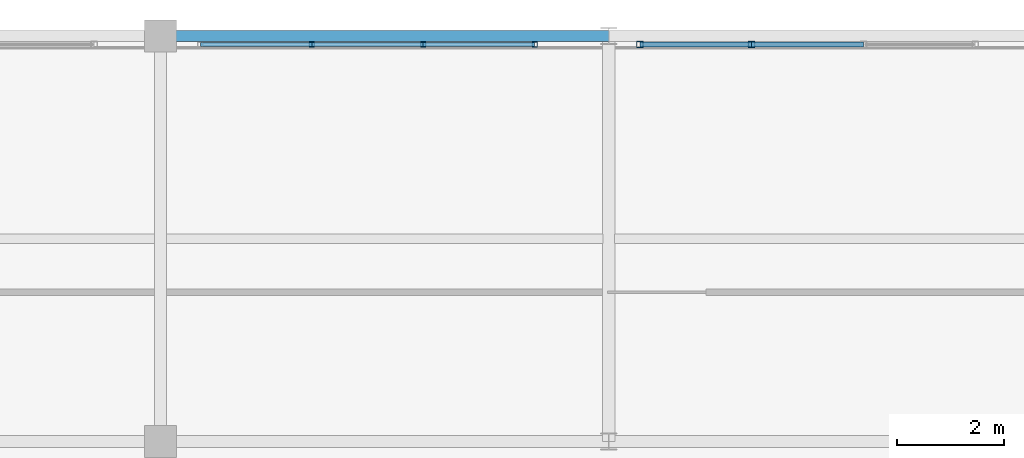
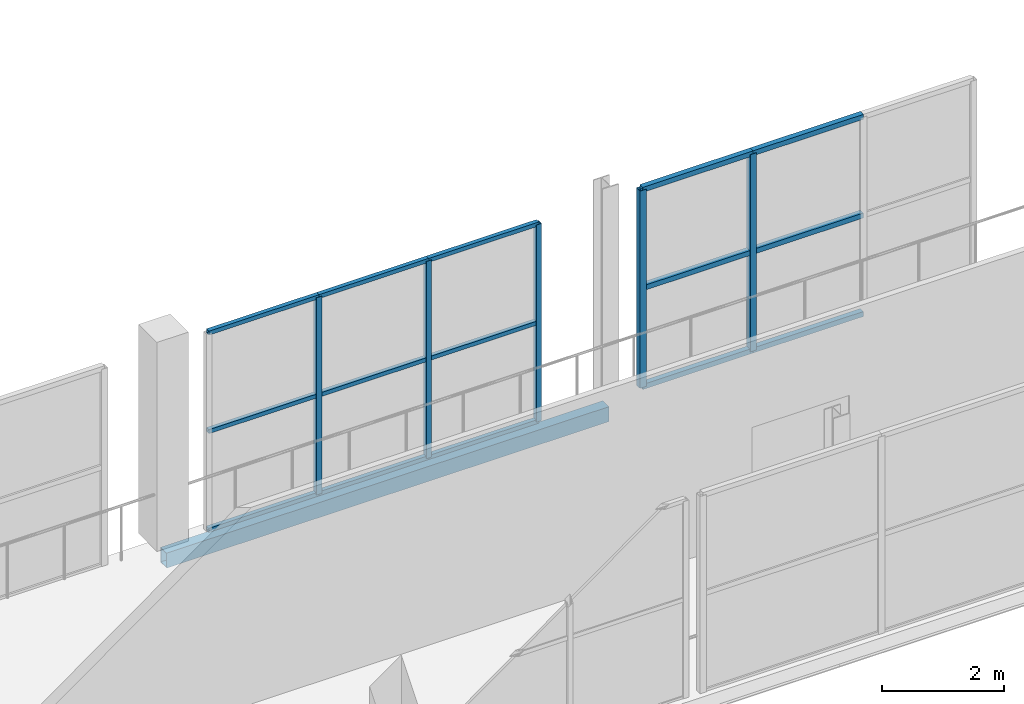
# One storey, part 80 of 151: 20 members, 1 beam, 2 elements without a shape of their own.
"""IFC4 building model written with IfcOpenShell, lengths in metres."""

from ifc_helpers import new_model, si_unit, direction, frame, origin, origin_2d, place, context, subcontext, project, spatial, hollow_rectangle, extrude, material, material_profile, profile_set, type_object, element, aggregate, save


model = new_model("IFC4")

# Units and contexts
model_context = context("Model", 3, precision=1e-05, world=origin(), true_north=direction((0.0, 1.0)))
body_context = subcontext(model_context, "Body", "Model", "MODEL_VIEW")
ifc_project = project(units=[si_unit("LENGTHUNIT", "METRE"), si_unit("AREAUNIT", "SQUARE_METRE"), si_unit("VOLUMEUNIT", "CUBIC_METRE"), si_unit("PLANEANGLEUNIT", "RADIAN"), si_unit("MASSUNIT", "GRAM", prefix="KILO")], contexts=[model_context])

# Site, building, storey
site_placement = place(None, origin())
site = spatial("IfcSite", under=ifc_project, at=site_placement, CompositionType="ELEMENT")
building_placement = place(site_placement, origin())
building = spatial("IfcBuilding", under=site, at=building_placement, Name="Zuvorla Pavilion Media Centre", CompositionType="ELEMENT")
storey_placement = place(building_placement, frame((0.0, 0.0, 13.800048828125)))
storey = spatial("IfcBuildingStorey", under=building, at=storey_placement, Name="L03", CompositionType="ELEMENT", Elevation=13.800048828125)

# Beam
ifc_material_1 = material(Name="Steel S355", Category="steel")
ifc_material_profile_1 = material_profile(ifc_material_1, hollow_rectangle(XDim=0.199951171875, YDim=0.300048828125, WallThickness=0.012451171875, at=origin_2d()), Name="RHS 300x200x12.5")
ifc_profile_set_1 = profile_set([ifc_material_profile_1], Name="Steel S355")
beam_type = type_object("IfcBeamType", Name="BM-SP-RHS300", PredefinedType="SPANDREL", material=ifc_profile_set_1)
beam_placement = place(storey_placement, frame((117.199951171875, 89.60009765625, -0.407958984375), z_axis=(1.0, 0.0, 0.0), x_axis=(0.0, 1.0, 0.0)))
element("IfcBeam", 1, at=beam_placement, inside=storey, type_object=beam_type, Name="L03 spandrel SP01 1142", PredefinedType="SPANDREL", context=body_context, shape_type="SweptSolid", body=[
    extrude(hollow_rectangle(XDim=0.199951171875, YDim=0.300048828125, WallThickness=0.012451171875, at=origin_2d()), origin(), (0.0, 0.0, 1.0), 8.400146484375),
])

# Curtain wall, members
ifc_material_2 = material(Name="Unitised anodised aluminium and solar glass curtain wall", Category="aluminium")
curtain_wall_type_1 = type_object("IfcCurtainWallType", Name="CW-SYS-62", PredefinedType="USERDEFINED", material=ifc_material_2)
curtain_wall_1_placement = place(storey_placement, origin())
curtain_wall_1 = element("IfcCurtainWall", 2, at=curtain_wall_1_placement, inside=storey, type_object=curtain_wall_type_1, Name="L03 curtain wall CW62 110", ObjectType="CURTAIN WALL", PredefinedType="USERDEFINED")
ifc_material_3 = material(Name="Anodised aluminium 6063-T6", Category="aluminium")
ifc_material_profile_2 = material_profile(ifc_material_3, hollow_rectangle(XDim=0.10009765625, YDim=0.10009765625, WallThickness=0.00439453125, at=origin_2d()), Name="ALU MULL 100x100")
ifc_profile_set_2 = profile_set([ifc_material_profile_2], Name="Anodised aluminium 6063-T6")
member_type_1 = type_object("IfcMemberType", Name="CW-MULL-100", PredefinedType="MULLION", material=ifc_profile_set_2)
member_1_placement = place(storey_placement, frame((124.21142578125, 89.43994140625, 0.0), z_axis=(0.0, 0.0, 1.0), x_axis=(1.0, 0.0, 0.0)))
member_1 = element("IfcMember", 3, at=member_1_placement, type_object=member_type_1, Name="CW62 mullion 1", PredefinedType="MULLION", context=body_context, shape_type="SweptSolid", body=[
    extrude(hollow_rectangle(XDim=0.10009765625, YDim=0.10009765625, WallThickness=0.00439453125, at=origin_2d()), origin(), (0.0, 0.0, 1.0), 3.9599609375),
])
member_2_placement = place(storey_placement, frame((122.122314453125, 89.43994140625, 0.0), z_axis=(0.0, 0.0, 1.0), x_axis=(1.0, 0.0, 0.0)))
member_2 = element("IfcMember", 4, at=member_2_placement, type_object=member_type_1, Name="CW62 mullion 2", PredefinedType="MULLION", context=body_context, shape_type="SweptSolid", body=[
    extrude(hollow_rectangle(XDim=0.10009765625, YDim=0.10009765625, WallThickness=0.00439453125, at=origin_2d()), origin(), (0.0, 0.0, 1.0), 3.9599609375),
])
member_3_placement = place(storey_placement, frame((120.033447265625, 89.43994140625, 0.0), z_axis=(0.0, 0.0, 1.0), x_axis=(1.0, 0.0, 0.0)))
member_3 = element("IfcMember", 5, at=member_3_placement, type_object=member_type_1, Name="CW62 mullion 3", PredefinedType="MULLION", context=body_context, shape_type="SweptSolid", body=[
    extrude(hollow_rectangle(XDim=0.10009765625, YDim=0.10009765625, WallThickness=0.00439453125, at=origin_2d()), origin(), (0.0, 0.0, 1.0), 3.9599609375),
])

curtain_wall_type_2 = type_object("IfcCurtainWallType", Name="CW-SYS-39", PredefinedType="USERDEFINED", material=ifc_material_2)
curtain_wall_2_placement = place(storey_placement, origin())
curtain_wall_2 = element("IfcCurtainWall", 6, at=curtain_wall_2_placement, inside=storey, type_object=curtain_wall_type_2, Name="L03 curtain wall CW39 109", ObjectType="CURTAIN WALL", PredefinedType="USERDEFINED")
ifc_material_profile_3 = material_profile(ifc_material_3, hollow_rectangle(XDim=0.1201171875, YDim=0.1201171875, WallThickness=0.0048828125, at=origin_2d()), Name="ALU MULL 120x120")
ifc_profile_set_3 = profile_set([ifc_material_profile_3], Name="Anodised aluminium 6063-T6")
member_type_2 = type_object("IfcMemberType", Name="CW-MULL-120", PredefinedType="MULLION", material=ifc_profile_set_3)
member_4_placement = place(storey_placement, frame((128.277587890625, 89.43994140625, 0.0), z_axis=(0.0, 0.0, 1.0), x_axis=(1.0, 0.0, 0.0)))
member_4 = element("IfcMember", 7, at=member_4_placement, type_object=member_type_2, Name="CW39 mullion 3", PredefinedType="MULLION", context=body_context, shape_type="SweptSolid", body=[
    extrude(hollow_rectangle(XDim=0.1201171875, YDim=0.1201171875, WallThickness=0.0048828125, at=origin_2d()), origin(), (0.0, 0.0, 1.0), 3.9599609375),
])
member_5_placement = place(storey_placement, frame((126.181884765625, 89.43994140625, 0.0), z_axis=(0.0, 0.0, 1.0), x_axis=(1.0, 0.0, 0.0)))
member_5 = element("IfcMember", 8, at=member_5_placement, type_object=member_type_2, Name="CW39 mullion 4", PredefinedType="MULLION", context=body_context, shape_type="SweptSolid", body=[
    extrude(hollow_rectangle(XDim=0.1201171875, YDim=0.1201171875, WallThickness=0.0048828125, at=origin_2d()), origin(), (0.0, 0.0, 1.0), 3.9599609375),
])
ifc_material_profile_4 = material_profile(ifc_material_3, hollow_rectangle(XDim=0.10009765625, YDim=0.10009765625, WallThickness=0.00439453125, at=origin_2d()), Name="ALU TRAN 100x100")
ifc_profile_set_4 = profile_set([ifc_material_profile_4], Name="Anodised aluminium 6063-T6")
member_type_3 = type_object("IfcMemberType", Name="CW-TRAN-100", PredefinedType="USERDEFINED", material=ifc_profile_set_4)
member_6_placement = place(storey_placement, frame((130.373046875, 89.43994140625, 0.0), z_axis=(-1.0, 0.0, 0.0), x_axis=(0.0, -1.0, 0.0)))
member_6 = element("IfcMember", 9, at=member_6_placement, type_object=member_type_3, Name="CW39 transom 2.1", ObjectType="TRANSOM", PredefinedType="USERDEFINED", context=body_context, shape_type="SweptSolid", body=[
    extrude(hollow_rectangle(XDim=0.10009765625, YDim=0.10009765625, WallThickness=0.00439453125, at=origin_2d()), origin(), (0.0, 0.0, 1.0), 2.095458984375),
])
member_7_placement = place(storey_placement, frame((130.373046875, 89.43994140625, 1.97998046875), z_axis=(-1.0, 0.0, 0.0), x_axis=(0.0, -1.0, 0.0)))
member_7 = element("IfcMember", 10, at=member_7_placement, type_object=member_type_3, Name="CW39 transom 2.2", ObjectType="TRANSOM", PredefinedType="USERDEFINED", context=body_context, shape_type="SweptSolid", body=[
    extrude(hollow_rectangle(XDim=0.10009765625, YDim=0.10009765625, WallThickness=0.00439453125, at=origin_2d()), origin(), (0.0, 0.0, 1.0), 2.095458984375),
])
member_8_placement = place(storey_placement, frame((130.373046875, 89.43994140625, 3.9599609375), z_axis=(-1.0, 0.0, 0.0), x_axis=(0.0, -1.0, 0.0)))
member_8 = element("IfcMember", 11, at=member_8_placement, type_object=member_type_3, Name="CW39 transom 2.3", ObjectType="TRANSOM", PredefinedType="USERDEFINED", context=body_context, shape_type="SweptSolid", body=[
    extrude(hollow_rectangle(XDim=0.10009765625, YDim=0.10009765625, WallThickness=0.00439453125, at=origin_2d()), origin(), (0.0, 0.0, 1.0), 2.095458984375),
])
member_9_placement = place(storey_placement, frame((128.277587890625, 89.43994140625, 0.0), z_axis=(-1.0, 0.0, 0.0), x_axis=(0.0, -1.0, 0.0)))
member_9 = element("IfcMember", 12, at=member_9_placement, type_object=member_type_3, Name="CW39 transom 3.1", ObjectType="TRANSOM", PredefinedType="USERDEFINED", context=body_context, shape_type="SweptSolid", body=[
    extrude(hollow_rectangle(XDim=0.10009765625, YDim=0.10009765625, WallThickness=0.00439453125, at=origin_2d()), origin(), (0.0, 0.0, 1.0), 2.095703125),
])
member_10_placement = place(storey_placement, frame((128.277587890625, 89.43994140625, 1.97998046875), z_axis=(-1.0, 0.0, 0.0), x_axis=(0.0, -1.0, 0.0)))
member_10 = element("IfcMember", 13, at=member_10_placement, type_object=member_type_3, Name="CW39 transom 3.2", ObjectType="TRANSOM", PredefinedType="USERDEFINED", context=body_context, shape_type="SweptSolid", body=[
    extrude(hollow_rectangle(XDim=0.10009765625, YDim=0.10009765625, WallThickness=0.00439453125, at=origin_2d()), origin(), (0.0, 0.0, 1.0), 2.095703125),
])
member_11_placement = place(storey_placement, frame((128.277587890625, 89.43994140625, 3.9599609375), z_axis=(-1.0, 0.0, 0.0), x_axis=(0.0, -1.0, 0.0)))
member_11 = element("IfcMember", 14, at=member_11_placement, type_object=member_type_3, Name="CW39 transom 3.3", ObjectType="TRANSOM", PredefinedType="USERDEFINED", context=body_context, shape_type="SweptSolid", body=[
    extrude(hollow_rectangle(XDim=0.10009765625, YDim=0.10009765625, WallThickness=0.00439453125, at=origin_2d()), origin(), (0.0, 0.0, 1.0), 2.095703125),
])
aggregate(curtain_wall_2, [member_4, member_5, member_6, member_7, member_8, member_9, member_10, member_11])

# Member
ifc_material_profile_5 = material_profile(ifc_material_3, hollow_rectangle(XDim=0.080078125, YDim=0.080078125, WallThickness=0.00390625, at=origin_2d()), Name="ALU TRAN 80x80")
ifc_profile_set_5 = profile_set([ifc_material_profile_5], Name="Anodised aluminium 6063-T6")
member_type_4 = type_object("IfcMemberType", Name="CW-TRAN-80", PredefinedType="USERDEFINED", material=ifc_profile_set_5)
member_12_placement = place(storey_placement, frame((124.21142578125, 89.43994140625, 0.0), z_axis=(-1.0, 0.0, 0.0), x_axis=(0.0, -1.0, 0.0)))
member_12 = element("IfcMember", 15, at=member_12_placement, type_object=member_type_4, Name="CW62 transom 1.1", ObjectType="TRANSOM", PredefinedType="USERDEFINED", context=body_context, shape_type="SweptSolid", body=[
    extrude(hollow_rectangle(XDim=0.080078125, YDim=0.080078125, WallThickness=0.00390625, at=origin_2d()), origin(), (0.0, 0.0, 1.0), 2.089111328125),
])

member_13_placement = place(storey_placement, frame((124.21142578125, 89.43994140625, 1.97998046875), z_axis=(-1.0, 0.0, 0.0), x_axis=(0.0, -1.0, 0.0)))
member_13 = element("IfcMember", 16, at=member_13_placement, type_object=member_type_4, Name="CW62 transom 1.2", ObjectType="TRANSOM", PredefinedType="USERDEFINED", context=body_context, shape_type="SweptSolid", body=[
    extrude(hollow_rectangle(XDim=0.080078125, YDim=0.080078125, WallThickness=0.00390625, at=origin_2d()), origin(), (0.0, 0.0, 1.0), 2.089111328125),
])

member_14_placement = place(storey_placement, frame((124.21142578125, 89.43994140625, 3.9599609375), z_axis=(-1.0, 0.0, 0.0), x_axis=(0.0, -1.0, 0.0)))
member_14 = element("IfcMember", 17, at=member_14_placement, type_object=member_type_4, Name="CW62 transom 1.3", ObjectType="TRANSOM", PredefinedType="USERDEFINED", context=body_context, shape_type="SweptSolid", body=[
    extrude(hollow_rectangle(XDim=0.080078125, YDim=0.080078125, WallThickness=0.00390625, at=origin_2d()), origin(), (0.0, 0.0, 1.0), 2.089111328125),
])

member_15_placement = place(storey_placement, frame((122.122314453125, 89.43994140625, 0.0), z_axis=(-1.0, 0.0, 0.0), x_axis=(0.0, -1.0, 0.0)))
member_15 = element("IfcMember", 18, at=member_15_placement, type_object=member_type_4, Name="CW62 transom 2.1", ObjectType="TRANSOM", PredefinedType="USERDEFINED", context=body_context, shape_type="SweptSolid", body=[
    extrude(hollow_rectangle(XDim=0.080078125, YDim=0.080078125, WallThickness=0.00390625, at=origin_2d()), origin(), (0.0, 0.0, 1.0), 2.0888671875),
])

member_16_placement = place(storey_placement, frame((122.122314453125, 89.43994140625, 1.97998046875), z_axis=(-1.0, 0.0, 0.0), x_axis=(0.0, -1.0, 0.0)))
member_16 = element("IfcMember", 19, at=member_16_placement, type_object=member_type_4, Name="CW62 transom 2.2", ObjectType="TRANSOM", PredefinedType="USERDEFINED", context=body_context, shape_type="SweptSolid", body=[
    extrude(hollow_rectangle(XDim=0.080078125, YDim=0.080078125, WallThickness=0.00390625, at=origin_2d()), origin(), (0.0, 0.0, 1.0), 2.0888671875),
])

member_17_placement = place(storey_placement, frame((122.122314453125, 89.43994140625, 3.9599609375), z_axis=(-1.0, 0.0, 0.0), x_axis=(0.0, -1.0, 0.0)))
member_17 = element("IfcMember", 20, at=member_17_placement, type_object=member_type_4, Name="CW62 transom 2.3", ObjectType="TRANSOM", PredefinedType="USERDEFINED", context=body_context, shape_type="SweptSolid", body=[
    extrude(hollow_rectangle(XDim=0.080078125, YDim=0.080078125, WallThickness=0.00390625, at=origin_2d()), origin(), (0.0, 0.0, 1.0), 2.0888671875),
])

member_18_placement = place(storey_placement, frame((120.033447265625, 89.43994140625, 0.0), z_axis=(-1.0, 0.0, 0.0), x_axis=(0.0, -1.0, 0.0)))
member_18 = element("IfcMember", 21, at=member_18_placement, type_object=member_type_4, Name="CW62 transom 3.1", ObjectType="TRANSOM", PredefinedType="USERDEFINED", context=body_context, shape_type="SweptSolid", body=[
    extrude(hollow_rectangle(XDim=0.080078125, YDim=0.080078125, WallThickness=0.00390625, at=origin_2d()), origin(), (0.0, 0.0, 1.0), 2.089111328125),
])

member_19_placement = place(storey_placement, frame((120.033447265625, 89.43994140625, 1.97998046875), z_axis=(-1.0, 0.0, 0.0), x_axis=(0.0, -1.0, 0.0)))
member_19 = element("IfcMember", 22, at=member_19_placement, type_object=member_type_4, Name="CW62 transom 3.2", ObjectType="TRANSOM", PredefinedType="USERDEFINED", context=body_context, shape_type="SweptSolid", body=[
    extrude(hollow_rectangle(XDim=0.080078125, YDim=0.080078125, WallThickness=0.00390625, at=origin_2d()), origin(), (0.0, 0.0, 1.0), 2.089111328125),
])

member_20_placement = place(storey_placement, frame((120.033447265625, 89.43994140625, 3.9599609375), z_axis=(-1.0, 0.0, 0.0), x_axis=(0.0, -1.0, 0.0)))
member_20 = element("IfcMember", 23, at=member_20_placement, type_object=member_type_4, Name="CW62 transom 3.3", ObjectType="TRANSOM", PredefinedType="USERDEFINED", context=body_context, shape_type="SweptSolid", body=[
    extrude(hollow_rectangle(XDim=0.080078125, YDim=0.080078125, WallThickness=0.00390625, at=origin_2d()), origin(), (0.0, 0.0, 1.0), 2.089111328125),
])

aggregate(curtain_wall_1, [member_1, member_2, member_3, member_12, member_13, member_14, member_15, member_16, member_17, member_18, member_19, member_20])

save(model, "model.ifc")
